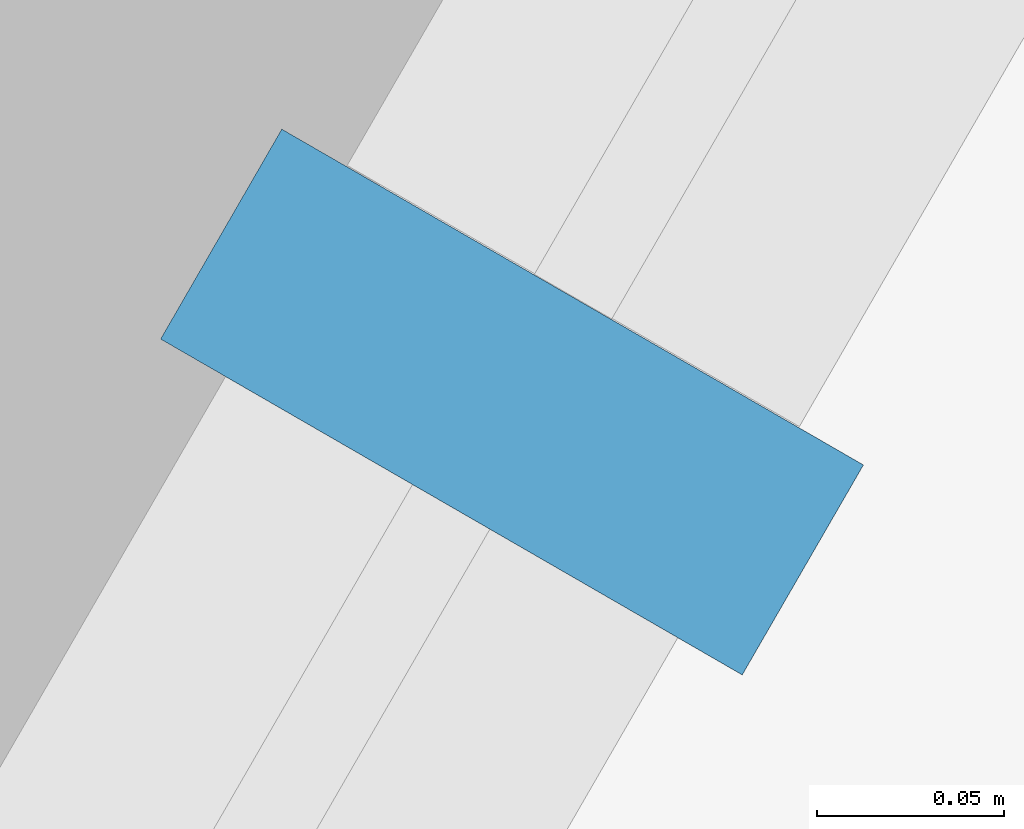
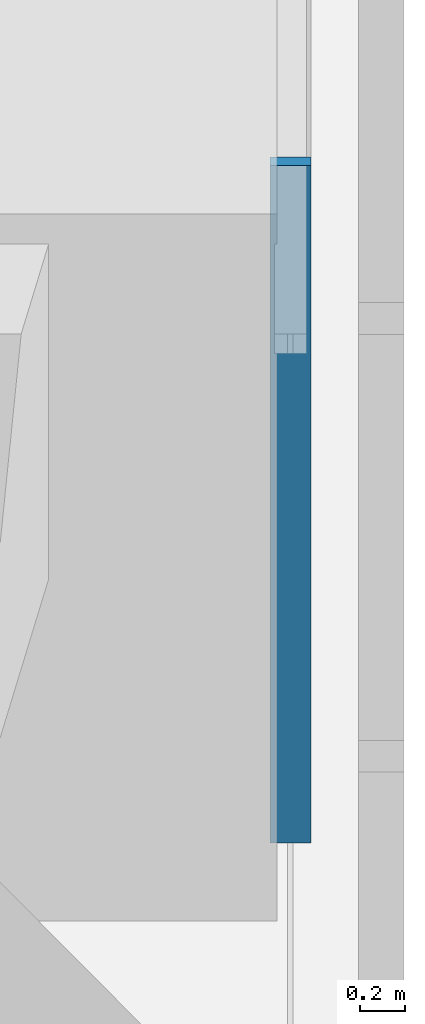
# One storey, part 85 of 256: 1 member, 1 element without a shape of its own.
"""IFC4 building model written with IfcOpenShell, lengths in metres."""

from ifc_helpers import new_model, si_unit, direction, frame, origin, origin_2d, place, context, subcontext, project, spatial, rectangle, extrude, material, material_profile, profile_set, type_object, element, aggregate, save


model = new_model("IFC4")

# Units and contexts
model_context = context("Model", 3, precision=1e-05, world=origin(), true_north=direction((0.0, 1.0)))
body_context = subcontext(model_context, "Body", "Model", "MODEL_VIEW")
ifc_project = project(units=[si_unit("LENGTHUNIT", "METRE"), si_unit("AREAUNIT", "SQUARE_METRE"), si_unit("VOLUMEUNIT", "CUBIC_METRE"), si_unit("PLANEANGLEUNIT", "RADIAN"), si_unit("MASSUNIT", "GRAM", prefix="KILO")], contexts=[model_context])

# Site, building, storey
site_placement = place(None, origin())
site = spatial("IfcSite", under=ifc_project, at=site_placement, CompositionType="ELEMENT")
building_placement = place(site_placement, origin())
building = spatial("IfcBuilding", under=site, at=building_placement, Name="Sandreach Pilgrim Tower", CompositionType="ELEMENT")
storey_placement = place(building_placement, frame((0.0, 0.0, 23.0)))
storey = spatial("IfcBuildingStorey", under=building, at=storey_placement, Name="L04", CompositionType="ELEMENT", Elevation=23.0)

# Curtain wall, member
ifc_material_1 = material(Name="Aluminium framed curtain wall", Category="aluminium")
curtain_wall_type = type_object("IfcCurtainWallType", Name="Hostel tower curtain wall", PredefinedType="NOTDEFINED", material=ifc_material_1)
curtain_wall_placement = place(storey_placement, origin())
curtain_wall = element("IfcCurtainWall", 1, at=curtain_wall_placement, inside=storey, type_object=curtain_wall_type, Name="CW-1 L04 SE", PredefinedType="NOTDEFINED")
ifc_material_2 = material(Name="Aluminium extrusion", Category="aluminium")
ifc_material_profile = material_profile(ifc_material_2, rectangle(XDim=0.06494140625, YDim=0.179931640625, at=origin_2d()), Name="CW-1M 65X180")
ifc_profile_set = profile_set([ifc_material_profile], Name="Aluminium extrusion")
member_type = type_object("IfcMemberType", Name="CW-1 mullion", PredefinedType="MULLION", material=ifc_profile_set)
member_placement = place(storey_placement, frame((13.08984375, -25.22509765625, 0.0), z_axis=(0.0, 0.0, 1.0), x_axis=(-0.5, -0.866025403784, 0.0)))
member = element("IfcMember", 2, at=member_placement, type_object=member_type, Name="CW-1 mullion 9", PredefinedType="MULLION", context=body_context, shape_type="SweptSolid", body=[
    extrude(rectangle(XDim=0.06494140625, YDim=0.179931640625, at=origin_2d()), origin(), (0.0, 0.0, 1.0), 3.639892578125),
])
aggregate(curtain_wall, [member])

save(model, "model.ifc")
